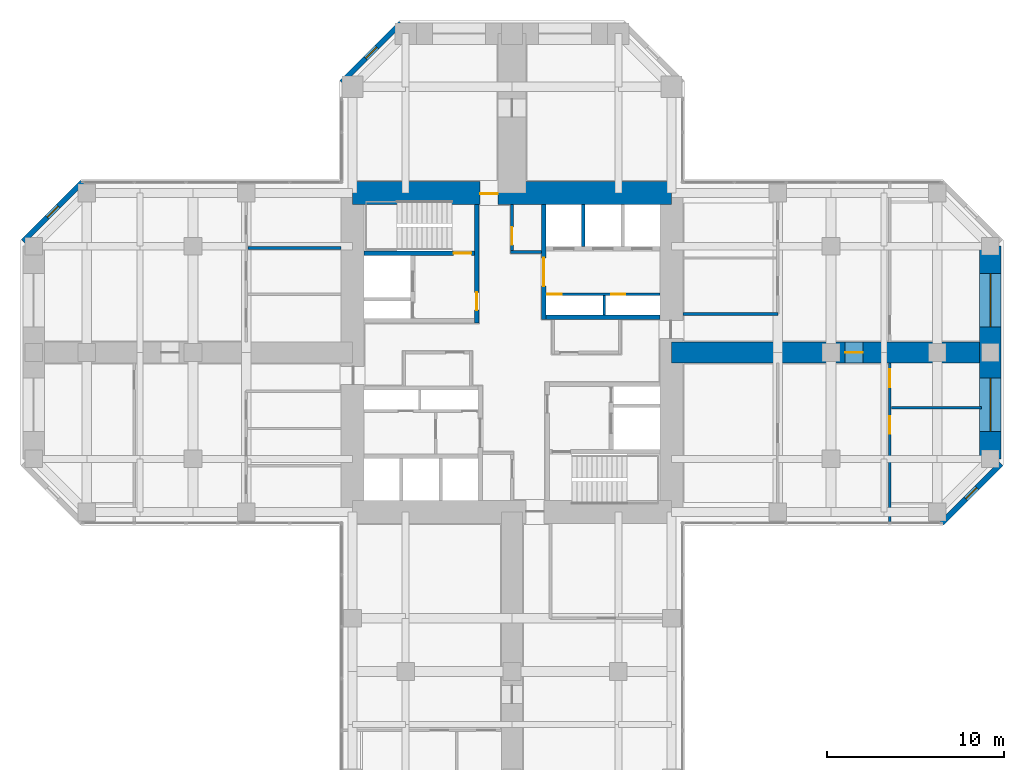
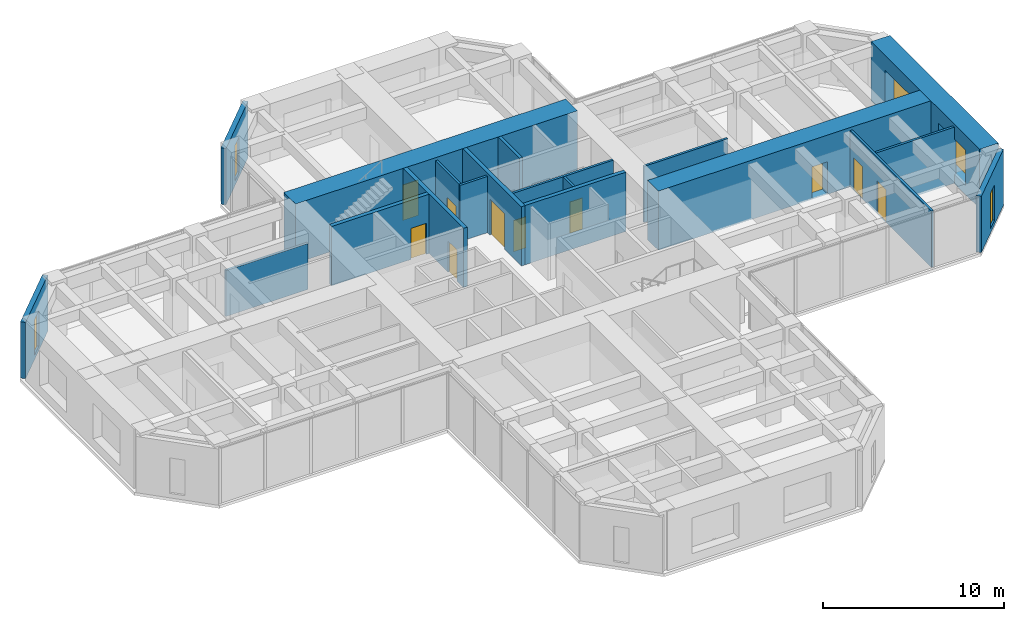
# One storey, part 10 of 12: 19 walls, 10 doors, 5 windows, 15 openings.
"""IFC4 building model written with IfcOpenShell, lengths in metres."""

from ifc_helpers import new_model, si_unit, direction, frame, frame_2d, origin, place, context, subcontext, project, spatial, rectangle, hollow_rectangle, extrude, material, layer, layer_set, constituent, constituent_set, type_object, element, fill, save


model = new_model("IFC4")

# Units and contexts
model_context = context("Model", 3, precision=1e-05, world=origin(), true_north=direction((0.0, 1.0)))
body_context = subcontext(model_context, "Body", "Model", "MODEL_VIEW")
ifc_project = project(units=[si_unit("LENGTHUNIT", "METRE"), si_unit("AREAUNIT", "SQUARE_METRE"), si_unit("VOLUMEUNIT", "CUBIC_METRE"), si_unit("PLANEANGLEUNIT", "RADIAN"), si_unit("MASSUNIT", "GRAM", prefix="KILO")], contexts=[model_context])

# Site, building, storey
site_placement = place(None, origin())
site = spatial("IfcSite", under=ifc_project, at=site_placement, CompositionType="ELEMENT")
building_placement = place(site_placement, origin())
building = spatial("IfcBuilding", under=site, at=building_placement, Name="Torre Cruceta", CompositionType="ELEMENT")
storey_placement = place(building_placement, frame((0.0, 0.0, 112.5)))
storey = spatial("IfcBuildingStorey", under=building, at=storey_placement, Name="L27", CompositionType="ELEMENT", Elevation=112.5)

# Wall, opening, door
ifc_material_1 = material(Name="Concrete G60 (fck 60 MPa)", Category="concrete")
ifc_layer_1 = layer(ifc_material_1, 0.25)
ifc_layer_set_1 = layer_set([ifc_layer_1], Name="Concrete G60 (fck 60 MPa)")
wall_type_1 = type_object("IfcWallType", Name="CORE INNER WALL 250 G60", PredefinedType="SHEAR", material=ifc_layer_set_1)
wall_1_placement = place(storey_placement, frame((1.800048828125, 1.875, 0.0), z_axis=(0.0, 0.0, 1.0), x_axis=(0.0, 1.0, 0.0)))
wall_1 = element("IfcWall", 1, at=wall_1_placement, inside=storey, type_object=wall_type_1, Name="CW4 L27 NE-CU", PredefinedType="SHEAR", context=body_context, shape_type="SweptSolid", body=[
    extrude(rectangle(XDim=6.47509765625, YDim=0.25, at=frame_2d((3.237548828125, 0.0))), origin(), (0.0, 0.0, 1.0), 4.0),
])
opening_1_placement = place(wall_1_placement, frame((1.875, 0.0, 0.0)))
opening_1 = element("IfcOpeningElement", 2, at=opening_1_placement, cuts=wall_1, Name="Opening D8", PredefinedType="OPENING", context=body_context, shape_type="SweptSolid", body=[
    extrude(rectangle(XDim=1.60009765625, YDim=2.39990234375, at=frame_2d((0.800048828125, 1.199951171875))), frame((0.0, 0.135009765625, 0.0), z_axis=(0.0, -1.0, 0.0), x_axis=(1.0, 0.0, 0.0)), (0.0, 0.0, 1.0), 0.27001953125),
])
ifc_material_2 = material(Name="Steel DX51D", Category="steel")
ifc_constituent_1 = constituent(ifc_material_2, Name="Leaf and frame")
ifc_material_3 = material(Name="Polyester powder coating", Category="paint")
ifc_constituent_2 = constituent(ifc_material_3, Name="Finish")
ifc_material_4 = material(Name="Fire-resisting glass", Category="glass")
ifc_constituent_3 = constituent(ifc_material_4, Name="Vision panel")
ifc_constituent_set_1 = constituent_set(constituents=[ifc_constituent_1, ifc_constituent_2, ifc_constituent_3], Name="Steel fire door with vision panels")
door_type_1 = type_object("IfcDoorType", Name="LIFT LOBBY DOUBLE DOOR 1600X2400", OperationType="DOUBLE_DOOR_DOUBLE_SWING", PredefinedType="DOOR", material=ifc_constituent_set_1)
door_1_placement = place(opening_1_placement, origin())
door_1 = element("IfcDoor", 3, at=door_1_placement, inside=storey, type_object=door_type_1, Name="D8 L27 NE-LOBBY", OperationType="DOUBLE_DOOR_DOUBLE_SWING", OverallHeight=2.39990234375, OverallWidth=1.60009765625, PredefinedType="DOOR", context=body_context, shape_type="SweptSolid", body=[
    extrude(rectangle(XDim=1.60009765625, YDim=2.39990234375, at=frame_2d((0.800048828125, 1.199951171875))), frame((0.0, 0.02490234375, 0.0), z_axis=(0.0, -1.0, 0.0), x_axis=(1.0, 0.0, 0.0)), (0.0, 0.0, 1.0), 0.050048828125),
])
fill(opening_1, door_1)

# Wall
wall_2_placement = place(storey_placement, frame((1.925048828125, 2.0, 0.0), z_axis=(0.0, 0.0, 1.0), x_axis=(1.0, 0.0, 0.0)))
element("IfcWall", 4, at=wall_2_placement, inside=storey, type_object=wall_type_1, Name="CW4 L27 NE-CV", PredefinedType="SHEAR", context=body_context, shape_type="SweptSolid", body=[
    extrude(rectangle(XDim=6.425048828125, YDim=0.25, at=frame_2d((3.21240234375, 0.0))), origin(), (0.0, 0.0, 1.0), 4.0),
])

# Wall, opening, door
wall_3_placement = place(storey_placement, frame((-2.0, 1.675048828125, 0.0), z_axis=(0.0, 0.0, 1.0), x_axis=(0.0, 1.0, 0.0)))
wall_3 = element("IfcWall", 5, at=wall_3_placement, inside=storey, type_object=wall_type_1, Name="CW4 L27 NW-CU", PredefinedType="SHEAR", context=body_context, shape_type="SweptSolid", body=[
    extrude(rectangle(XDim=6.675048828125, YDim=0.25, at=frame_2d((3.33740234375, 0.0))), origin(), (0.0, 0.0, 1.0), 4.0),
])
opening_2_placement = place(wall_3_placement, frame((0.72509765625, 0.0, 0.0)))
opening_2 = element("IfcOpeningElement", 6, at=opening_2_placement, cuts=wall_3, Name="Opening D3", PredefinedType="OPENING", context=body_context, shape_type="SweptSolid", body=[
    extrude(rectangle(XDim=1.0, YDim=2.10009765625, at=frame_2d((0.5, 1.050048828125))), frame((0.0, 0.135009765625, 0.0), z_axis=(0.0, -1.0, 0.0), x_axis=(1.0, 0.0, 0.0)), (0.0, 0.0, 1.0), 0.27001953125),
])
ifc_material_5 = material(Name="Steel DX51D", Category="steel")
ifc_constituent_4 = constituent(ifc_material_5, Name="Leaf and frame")
ifc_material_6 = material(Name="Polyester powder coating", Category="paint")
ifc_constituent_5 = constituent(ifc_material_6, Name="Finish")
ifc_constituent_set_2 = constituent_set(constituents=[ifc_constituent_4, ifc_constituent_5], Name="Steel fire door")
door_type_2 = type_object("IfcDoorType", Name="FIRE DOOR 1000X2100", OperationType="SINGLE_SWING_LEFT", PredefinedType="DOOR", material=ifc_constituent_set_2)
door_2_placement = place(opening_2_placement, origin())
door_2 = element("IfcDoor", 7, at=door_2_placement, inside=storey, type_object=door_type_2, Name="D3 L27 NW-LOBBY", OperationType="SINGLE_SWING_LEFT", OverallHeight=2.10009765625, OverallWidth=1.0, PredefinedType="DOOR", context=body_context, shape_type="SweptSolid", body=[
    extrude(rectangle(XDim=1.0, YDim=2.10009765625, at=frame_2d((0.5, 1.050048828125))), frame((0.0, 0.02490234375, 0.0), z_axis=(0.0, -1.0, 0.0), x_axis=(1.0, 0.0, 0.0)), (0.0, 0.0, 1.0), 0.050048828125),
])
fill(opening_2, door_2)

wall_4_placement = place(storey_placement, frame((-2.125, 5.60009765625, 0.0), z_axis=(0.0, 0.0, 1.0), x_axis=(-1.0, 0.0, 0.0)))
wall_4 = element("IfcWall", 8, at=wall_4_placement, inside=storey, type_object=wall_type_1, Name="CW4 L27 NW-SV", PredefinedType="SHEAR", context=body_context, shape_type="SweptSolid", body=[
    extrude(rectangle(XDim=6.22509765625, YDim=0.25, at=frame_2d((3.112548828125, 0.0))), origin(), (0.0, 0.0, 1.0), 4.0),
])
opening_3_placement = place(wall_4_placement, frame((0.175048828125, 0.0, 0.0)))
opening_3 = element("IfcOpeningElement", 9, at=opening_3_placement, cuts=wall_4, Name="Opening D3", PredefinedType="OPENING", context=body_context, shape_type="SweptSolid", body=[
    extrude(rectangle(XDim=1.0, YDim=2.10009765625, at=frame_2d((0.5, 1.050048828125))), frame((0.0, 0.135009765625, 0.0), z_axis=(0.0, -1.0, 0.0), x_axis=(1.0, 0.0, 0.0)), (0.0, 0.0, 1.0), 0.27001953125),
])
door_3_placement = place(opening_3_placement, frame((1.0, 0.0, 0.0), z_axis=(0.0, 0.0, 1.0), x_axis=(-1.0, 0.0, 0.0)))
door_3 = element("IfcDoor", 10, at=door_3_placement, inside=storey, type_object=door_type_2, Name="D3 L27 NW-STAIR", OperationType="SINGLE_SWING_RIGHT", OverallHeight=2.10009765625, OverallWidth=1.0, PredefinedType="DOOR", context=body_context, shape_type="SweptSolid", body=[
    extrude(rectangle(XDim=1.0, YDim=2.10009765625, at=frame_2d((0.5, 1.050048828125))), frame((0.0, 0.025146484375, 0.0), z_axis=(0.0, -1.0, 0.0), x_axis=(1.0, 0.0, 0.0)), (0.0, 0.0, 1.0), 0.050048828125),
])
fill(opening_3, door_3)

ifc_material_7 = material(Name="Concrete G60 (fck 60 MPa)", Category="concrete")
ifc_layer_2 = layer(ifc_material_7, 1.300048828125)
ifc_layer_set_2 = layer_set([ifc_layer_2], Name="Concrete G60 (fck 60 MPa)")
wall_type_2 = type_object("IfcWallType", Name="CORE WALL 1300 G60", PredefinedType="SHEAR", material=ifc_layer_set_2)
wall_5_placement = place(storey_placement, frame((9.0, 9.0, 0.0), z_axis=(0.0, 0.0, 1.0), x_axis=(-1.0, 0.0, 0.0)))
wall_5 = element("IfcWall", 11, at=wall_5_placement, inside=storey, type_object=wall_type_2, Name="CW1 L27 CW-N", PredefinedType="SHEAR", context=body_context, shape_type="SweptSolid", body=[
    extrude(rectangle(XDim=18.0, YDim=1.300048828125, at=frame_2d((9.0, 0.0))), origin(), (0.0, 0.0, 1.0), 4.0),
])
opening_4_placement = place(wall_5_placement, frame((9.800048828125, 0.0, 0.0)))
opening_4 = element("IfcOpeningElement", 12, at=opening_4_placement, cuts=wall_5, Name="Opening D4", PredefinedType="OPENING", context=body_context, shape_type="SweptSolid", body=[
    extrude(rectangle(XDim=1.0, YDim=2.39990234375, at=frame_2d((0.5, 1.199951171875))), frame((0.0, 0.659912109375, 0.0), z_axis=(0.0, -1.0, 0.0), x_axis=(1.0, 0.0, 0.0)), (0.0, 0.0, 1.0), 1.320068359375),
])
ifc_material_8 = material(Name="Steel DX51D", Category="steel")
ifc_constituent_6 = constituent(ifc_material_8, Name="Leaf and frame")
ifc_material_9 = material(Name="Polyester powder coating", Category="paint")
ifc_constituent_7 = constituent(ifc_material_9, Name="Finish")
ifc_constituent_set_3 = constituent_set(constituents=[ifc_constituent_6, ifc_constituent_7], Name="Steel fire door")
door_type_3 = type_object("IfcDoorType", Name="CORE ARM DOOR 1000X2400", OperationType="SINGLE_SWING_RIGHT", PredefinedType="DOOR", material=ifc_constituent_set_3)
door_4_placement = place(opening_4_placement, frame((1.0, 0.0, 0.0), z_axis=(0.0, 0.0, 1.0), x_axis=(-1.0, 0.0, 0.0)))
door_4 = element("IfcDoor", 13, at=door_4_placement, inside=storey, type_object=door_type_3, Name="D4 L27 CW-N", OperationType="SINGLE_SWING_RIGHT", OverallHeight=2.39990234375, OverallWidth=1.0, PredefinedType="DOOR", context=body_context, shape_type="SweptSolid", body=[
    extrude(rectangle(XDim=1.0, YDim=2.39990234375, at=frame_2d((0.5, 1.199951171875))), frame((0.0, -0.005126953125, 0.0), z_axis=(0.0, -1.0, 0.0), x_axis=(1.0, 0.0, 0.0)), (0.0, 0.0, 1.0), 0.050048828125),
])
fill(opening_4, door_4)

# Wall, opening, window
ifc_material_10 = material(Name="Concrete G30 (fck 30 MPa)", Category="concrete")
ifc_layer_3 = layer(ifc_material_10, 0.300048828125)
ifc_layer_set_3 = layer_set([ifc_layer_3], Name="Concrete G30 (fck 30 MPa)")
wall_type_3 = type_object("IfcWallType", Name="EXPOSED CONCRETE FACADE WALL 300", PredefinedType="SOLIDWALL", material=ifc_layer_set_3)
wall_6_placement = place(storey_placement, frame((24.2568359375, -9.6201171875, 0.0), z_axis=(0.0, 0.0, 1.0), x_axis=(0.707106781187, 0.707106781187, 0.0)))
wall_6 = element("IfcWall", 14, at=wall_6_placement, inside=storey, type_object=wall_type_3, Name="EW1 facade wall L27 E chamfer 01", PredefinedType="SOLIDWALL", context=body_context, shape_type="SweptSolid", body=[
    extrude(rectangle(XDim=4.72802734375, YDim=0.300048828125, at=frame_2d((2.364013671875, 0.0))), origin(), (0.0, 0.0, 1.0), 3.800048828125),
])
opening_5_placement = place(wall_6_placement, frame((1.9140625, 0.0, 0.300048828125)))
opening_5 = element("IfcOpeningElement", 15, at=opening_5_placement, cuts=wall_6, Name="Opening WN5", PredefinedType="OPENING", context=body_context, shape_type="SweptSolid", body=[
    extrude(rectangle(XDim=0.89990234375, YDim=2.39990234375, at=frame_2d((0.449951171875, 1.199951171875))), frame((0.0, 0.159912109375, 0.0), z_axis=(0.0, -1.0, 0.0), x_axis=(1.0, 0.0, 0.0)), (0.0, 0.0, 1.0), 0.320068359375),
])
ifc_material_11 = material(Name="Aluminium window frame", Category="aluminium")
ifc_constituent_8 = constituent(ifc_material_11, Name="Frame")
ifc_material_12 = material(Name="Laminated insulating glass unit, low-iron clear", Category="glass")
ifc_constituent_9 = constituent(ifc_material_12, Name="Glazing")
ifc_constituent_set_4 = constituent_set(constituents=[ifc_constituent_8, ifc_constituent_9], Name="Aluminium window")
window_type_1 = type_object("IfcWindowType", Name="CHAMFER SLOT WINDOW 900X2400", PartitioningType="SINGLE_PANEL", PredefinedType="WINDOW", material=ifc_constituent_set_4)
window_1_placement = place(opening_5_placement, origin())
window_1 = element("IfcWindow", 16, at=window_1_placement, inside=storey, type_object=window_type_1, Name="WN5 L27 E 1", OverallHeight=2.39990234375, OverallWidth=0.89990234375, PartitioningType="SINGLE_PANEL", PredefinedType="WINDOW", context=body_context, shape_type="SweptSolid", body=[
    extrude(hollow_rectangle(XDim=0.89990234375, YDim=2.39990234375, WallThickness=0.06005859375, at=frame_2d((0.449951171875, 1.199951171875))), frame((0.0, 0.030029296875, 0.0), z_axis=(0.0, -1.0, 0.0), x_axis=(1.0, 0.0, 0.0)), (0.0, 0.0, 1.0), 0.06005859375),
    extrude(rectangle(XDim=0.77880859375, YDim=2.27880859375, at=frame_2d((0.449951171875, 1.199951171875))), frame((0.0, 0.030029296875, 0.0), z_axis=(0.0, -1.0, 0.0), x_axis=(1.0, 0.0, 0.0)), (0.0, 0.0, 1.0), 0.06005859375),
])
fill(opening_5, window_1)

wall_7_placement = place(storey_placement, frame((-6.27685546875, 18.60009765625, 0.0), z_axis=(0.0, 0.0, 1.0), x_axis=(-0.707106781187, -0.707106781187, 0.0)))
wall_7 = element("IfcWall", 17, at=wall_7_placement, inside=storey, type_object=wall_type_3, Name="EW1 facade wall L27 N chamfer 08", PredefinedType="SOLIDWALL", context=body_context, shape_type="SweptSolid", body=[
    extrude(rectangle(XDim=4.72802734375, YDim=0.300048828125, at=frame_2d((2.364013671875, 0.0))), origin(), (0.0, 0.0, 1.0), 3.800048828125),
])
opening_6_placement = place(wall_7_placement, frame((1.9140625, 0.0, 0.300048828125)))
opening_6 = element("IfcOpeningElement", 18, at=opening_6_placement, cuts=wall_7, Name="Opening WN5", PredefinedType="OPENING", context=body_context, shape_type="SweptSolid", body=[
    extrude(rectangle(XDim=0.89990234375, YDim=2.39990234375, at=frame_2d((0.449951171875, 1.199951171875))), frame((0.0, 0.159912109375, 0.0), z_axis=(0.0, -1.0, 0.0), x_axis=(1.0, 0.0, 0.0)), (0.0, 0.0, 1.0), 0.320068359375),
])
window_2_placement = place(opening_6_placement, origin())
window_2 = element("IfcWindow", 19, at=window_2_placement, inside=storey, type_object=window_type_1, Name="WN5 L27 N 1", OverallHeight=2.39990234375, OverallWidth=0.89990234375, PartitioningType="SINGLE_PANEL", PredefinedType="WINDOW", context=body_context, shape_type="SweptSolid", body=[
    extrude(hollow_rectangle(XDim=0.89990234375, YDim=2.39990234375, WallThickness=0.06005859375, at=frame_2d((0.449951171875, 1.199951171875))), frame((0.0, 0.030029296875, 0.0), z_axis=(0.0, -1.0, 0.0), x_axis=(1.0, 0.0, 0.0)), (0.0, 0.0, 1.0), 0.06005859375),
    extrude(rectangle(XDim=0.77880859375, YDim=2.27880859375, at=frame_2d((0.449951171875, 1.199951171875))), frame((0.0, 0.030029296875, 0.0), z_axis=(0.0, -1.0, 0.0), x_axis=(1.0, 0.0, 0.0)), (0.0, 0.0, 1.0), 0.06005859375),
])
fill(opening_6, window_2)

wall_8_placement = place(storey_placement, frame((-24.2568359375, 9.6201171875, 0.0), z_axis=(0.0, 0.0, 1.0), x_axis=(-0.707106781187, -0.707106781187, 0.0)))
wall_8 = element("IfcWall", 20, at=wall_8_placement, inside=storey, type_object=wall_type_3, Name="EW1 facade wall L27 W chamfer 11", PredefinedType="SOLIDWALL", context=body_context, shape_type="SweptSolid", body=[
    extrude(rectangle(XDim=4.72802734375, YDim=0.300048828125, at=frame_2d((2.364013671875, 0.0))), origin(), (0.0, 0.0, 1.0), 3.800048828125),
])
opening_7_placement = place(wall_8_placement, frame((1.9140625, 0.0, 0.300048828125)))
opening_7 = element("IfcOpeningElement", 21, at=opening_7_placement, cuts=wall_8, Name="Opening WN5", PredefinedType="OPENING", context=body_context, shape_type="SweptSolid", body=[
    extrude(rectangle(XDim=0.89990234375, YDim=2.39990234375, at=frame_2d((0.449951171875, 1.199951171875))), frame((0.0, 0.159912109375, 0.0), z_axis=(0.0, -1.0, 0.0), x_axis=(1.0, 0.0, 0.0)), (0.0, 0.0, 1.0), 0.320068359375),
])
window_3_placement = place(opening_7_placement, origin())
window_3 = element("IfcWindow", 22, at=window_3_placement, inside=storey, type_object=window_type_1, Name="WN5 L27 W 1", OverallHeight=2.39990234375, OverallWidth=0.89990234375, PartitioningType="SINGLE_PANEL", PredefinedType="WINDOW", context=body_context, shape_type="SweptSolid", body=[
    extrude(hollow_rectangle(XDim=0.89990234375, YDim=2.39990234375, WallThickness=0.06005859375, at=frame_2d((0.449951171875, 1.199951171875))), frame((0.0, 0.030029296875, 0.0), z_axis=(0.0, -1.0, 0.0), x_axis=(1.0, 0.0, 0.0)), (0.0, 0.0, 1.0), 0.06005859375),
    extrude(rectangle(XDim=0.77880859375, YDim=2.27880859375, at=frame_2d((0.449951171875, 1.199951171875))), frame((0.0, 0.030029296875, 0.0), z_axis=(0.0, -1.0, 0.0), x_axis=(1.0, 0.0, 0.0)), (0.0, 0.0, 1.0), 0.06005859375),
])
fill(opening_7, window_3)

# Wall
ifc_material_13 = material(Name="Concrete G35 (fck 35 MPa)", Category="concrete")
ifc_layer_4 = layer(ifc_material_13, 0.199951171875)
ifc_layer_set_4 = layer_set([ifc_layer_4], Name="Concrete G35 (fck 35 MPa)")
wall_type_4 = type_object("IfcWallType", Name="LIFT SHAFT WALL 200", PredefinedType="PARTITIONING", material=ifc_layer_set_4)
wall_9_placement = place(storey_placement, frame((4.033447265625, 5.97509765625, 0.0), z_axis=(0.0, 0.0, 1.0), x_axis=(0.0, 1.0, 0.0)))
element("IfcWall", 23, at=wall_9_placement, inside=storey, type_object=wall_type_4, Name="SW1 L27 NE-LS1", PredefinedType="PARTITIONING", context=body_context, shape_type="SweptSolid", body=[
    extrude(rectangle(XDim=2.375, YDim=0.199951171875, at=frame_2d((1.1875, 0.0))), origin(), (0.0, 0.0, 1.0), 4.0),
])

# Wall, openings, windows
ifc_material_14 = material(Name="Concrete G60 (fck 60 MPa)", Category="concrete")
ifc_layer_5 = layer(ifc_material_14, 1.199951171875)
ifc_layer_set_5 = layer_set([ifc_layer_5], Name="Concrete G60 (fck 60 MPa)")
wall_type_5 = type_object("IfcWallType", Name="NOSE WALL 1200 G60", PredefinedType="SHEAR", material=ifc_layer_set_5)
wall_10_placement = place(storey_placement, frame((27.0, -6.0, 0.0), z_axis=(0.0, 0.0, 1.0), x_axis=(0.0, 1.0, 0.0)))
wall_10 = element("IfcWall", 24, at=wall_10_placement, inside=storey, type_object=wall_type_5, Name="NW1 nose wall L27 E", PredefinedType="SHEAR", context=body_context, shape_type="SweptSolid", body=[
    extrude(rectangle(XDim=12.0, YDim=1.199951171875, at=frame_2d((6.0, 0.0))), origin(), (0.0, 0.0, 1.0), 4.0),
])
opening_8_placement = place(wall_10_placement, frame((1.550048828125, 0.0, 0.60009765625)))
opening_8 = element("IfcOpeningElement", 25, at=opening_8_placement, cuts=wall_10, Name="Opening WN6", PredefinedType="OPENING", context=body_context, shape_type="SweptSolid", body=[
    extrude(rectangle(XDim=3.0, YDim=2.39990234375, at=frame_2d((1.5, 1.199951171875))), frame((0.0, 0.60986328125, 0.0), z_axis=(0.0, -1.0, 0.0), x_axis=(1.0, 0.0, 0.0)), (0.0, 0.0, 1.0), 1.219970703125),
])
opening_9_placement = place(wall_10_placement, frame((7.449951171875, 0.0, 0.60009765625)))
opening_9 = element("IfcOpeningElement", 26, at=opening_9_placement, cuts=wall_10, Name="Opening WN6", PredefinedType="OPENING", context=body_context, shape_type="SweptSolid", body=[
    extrude(rectangle(XDim=3.0, YDim=2.39990234375, at=frame_2d((1.5, 1.199951171875))), frame((0.0, 0.60986328125, 0.0), z_axis=(0.0, -1.0, 0.0), x_axis=(1.0, 0.0, 0.0)), (0.0, 0.0, 1.0), 1.219970703125),
])
ifc_material_15 = material(Name="Aluminium window frame", Category="aluminium")
ifc_constituent_10 = constituent(ifc_material_15, Name="Frame")
ifc_material_16 = material(Name="Laminated insulating glass unit, low-iron clear", Category="glass")
ifc_constituent_11 = constituent(ifc_material_16, Name="Glazing")
ifc_constituent_set_5 = constituent_set(constituents=[ifc_constituent_10, ifc_constituent_11], Name="Aluminium window")
window_type_2 = type_object("IfcWindowType", Name="NOSE WALL WINDOW 3000X2400", PartitioningType="SINGLE_PANEL", PredefinedType="WINDOW", material=ifc_constituent_set_5)
window_4_placement = place(opening_8_placement, origin())
window_4 = element("IfcWindow", 27, at=window_4_placement, inside=storey, type_object=window_type_2, Name="WN6 L27 E 1", OverallHeight=2.39990234375, OverallWidth=3.0, PartitioningType="SINGLE_PANEL", PredefinedType="WINDOW", context=body_context, shape_type="SweptSolid", body=[
    extrude(hollow_rectangle(XDim=3.0, YDim=2.39990234375, WallThickness=0.06005859375, at=frame_2d((1.5, 1.199951171875))), frame((0.0, 0.030029296875, 0.0), z_axis=(0.0, -1.0, 0.0), x_axis=(1.0, 0.0, 0.0)), (0.0, 0.0, 1.0), 0.06005859375),
    extrude(rectangle(XDim=2.87890625, YDim=2.27880859375, at=frame_2d((1.5, 1.199951171875))), frame((0.0, 0.030029296875, 0.0), z_axis=(0.0, -1.0, 0.0), x_axis=(1.0, 0.0, 0.0)), (0.0, 0.0, 1.0), 0.06005859375),
])
fill(opening_8, window_4)
window_5_placement = place(opening_9_placement, origin())
window_5 = element("IfcWindow", 28, at=window_5_placement, inside=storey, type_object=window_type_2, Name="WN6 L27 E 2", OverallHeight=2.39990234375, OverallWidth=3.0, PartitioningType="SINGLE_PANEL", PredefinedType="WINDOW", context=body_context, shape_type="SweptSolid", body=[
    extrude(hollow_rectangle(XDim=3.0, YDim=2.39990234375, WallThickness=0.06005859375, at=frame_2d((1.5, 1.199951171875))), frame((0.0, 0.030029296875, 0.0), z_axis=(0.0, -1.0, 0.0), x_axis=(1.0, 0.0, 0.0)), (0.0, 0.0, 1.0), 0.06005859375),
    extrude(rectangle(XDim=2.87890625, YDim=2.27880859375, at=frame_2d((1.5, 1.199951171875))), frame((0.0, 0.030029296875, 0.0), z_axis=(0.0, -1.0, 0.0), x_axis=(1.0, 0.0, 0.0)), (0.0, 0.0, 1.0), 0.06005859375),
])
fill(opening_9, window_5)

# Wall, opening, door
ifc_material_17 = material(Name="Plasterboard on steel studs", Category="steel")
ifc_layer_6 = layer(ifc_material_17, 0.14990234375)
ifc_layer_set_6 = layer_set([ifc_layer_6], Name="Plasterboard on steel studs")
wall_type_6 = type_object("IfcWallType", Name="PARTITION 150", PredefinedType="PARTITIONING", material=ifc_layer_set_6)
wall_11_placement = place(storey_placement, frame((0.0, 5.675048828125, 0.0), z_axis=(0.0, 0.0, 1.0), x_axis=(0.0, 1.0, 0.0)))
wall_11 = element("IfcWall", 29, at=wall_11_placement, inside=storey, type_object=wall_type_6, Name="PT1 L27-CORE-LEGN-E-W1", PredefinedType="PARTITIONING", context=body_context, shape_type="SweptSolid", body=[
    extrude(rectangle(XDim=2.675048828125, YDim=0.14990234375, at=frame_2d((1.33740234375, 0.0))), origin(), (0.0, 0.0, 1.0), 3.800048828125),
])
opening_10_placement = place(wall_11_placement, frame((0.39990234375, 0.0, 0.0)))
opening_10 = element("IfcOpeningElement", 30, at=opening_10_placement, cuts=wall_11, Name="Opening D3", PredefinedType="OPENING", context=body_context, shape_type="SweptSolid", body=[
    extrude(rectangle(XDim=1.0, YDim=2.10009765625, at=frame_2d((0.5, 1.050048828125))), frame((0.0, 0.0849609375, 0.0), z_axis=(0.0, -1.0, 0.0), x_axis=(1.0, 0.0, 0.0)), (0.0, 0.0, 1.0), 0.169921875),
])
door_5_placement = place(opening_10_placement, frame((1.0, 0.0, 0.0), z_axis=(0.0, 0.0, 1.0), x_axis=(-1.0, 0.0, 0.0)))
door_5 = element("IfcDoor", 31, at=door_5_placement, inside=storey, type_object=door_type_2, Name="D3 L27-CORE-LEGN-E-W1-D1", OperationType="SINGLE_SWING_RIGHT", OverallHeight=2.10009765625, OverallWidth=1.0, PredefinedType="DOOR", context=body_context, shape_type="SweptSolid", body=[
    extrude(rectangle(XDim=1.0, YDim=2.10009765625, at=frame_2d((0.5, 1.050048828125))), frame((0.0, 0.025146484375, 0.0), z_axis=(0.0, -1.0, 0.0), x_axis=(1.0, 0.0, 0.0)), (0.0, 0.0, 1.0), 0.050048828125),
])
fill(opening_10, door_5)

# Walls
wall_12_placement = place(storey_placement, frame((1.675048828125, 5.675048828125, 0.0), z_axis=(0.0, 0.0, 1.0), x_axis=(-1.0, 0.0, 0.0)))
element("IfcWall", 32, at=wall_12_placement, inside=storey, type_object=wall_type_6, Name="PT1 L27-CORE-LEGN-E-W2", PredefinedType="PARTITIONING", context=body_context, shape_type="SweptSolid", body=[
    extrude(rectangle(XDim=1.75, YDim=0.14990234375, at=frame_2d((0.875, 0.0))), origin(), (0.0, 0.0, 1.0), 3.800048828125),
])
wall_13_placement = place(storey_placement, frame((9.64990234375, 2.175048828125, 0.0), z_axis=(0.0, 0.0, 1.0), x_axis=(1.0, 0.0, 0.0)))
element("IfcWall", 33, at=wall_13_placement, inside=storey, type_object=wall_type_6, Name="PT1 L27-E-BSL", PredefinedType="PARTITIONING", context=body_context, shape_type="SweptSolid", body=[
    extrude(rectangle(XDim=5.35009765625, YDim=0.14990234375, at=frame_2d((2.675048828125, 0.0))), origin(), (0.0, 0.0, 1.0), 3.800048828125),
])
wall_14_placement = place(storey_placement, frame((21.419921875, -3.117919921875, 0.0), z_axis=(0.0, 0.0, 1.0), x_axis=(1.0, 0.0, 0.0)))
element("IfcWall", 34, at=wall_14_placement, inside=storey, type_object=wall_type_6, Name="PT1 L27-E-TDR", PredefinedType="PARTITIONING", context=body_context, shape_type="SweptSolid", body=[
    extrude(rectangle(XDim=5.080078125, YDim=0.14990234375, at=frame_2d((2.5400390625, 0.0))), origin(), (0.0, 0.0, 1.0), 3.800048828125),
])

# Wall, openings, doors
wall_15_placement = place(storey_placement, frame((21.320068359375, -9.580078125, 0.0), z_axis=(0.0, 0.0, 1.0), x_axis=(0.0, 1.0, 0.0)))
wall_15 = element("IfcWall", 35, at=wall_15_placement, inside=storey, type_object=wall_type_6, Name="PT1 L27-E-TWR", PredefinedType="PARTITIONING", context=body_context, shape_type="SweptSolid", body=[
    extrude(rectangle(XDim=8.97998046875, YDim=0.14990234375, at=frame_2d((4.489990234375, 0.0))), origin(), (0.0, 0.0, 1.0), 3.800048828125),
])
opening_11_placement = place(wall_15_placement, frame((4.987060546875, 0.0, 0.0)))
opening_11 = element("IfcOpeningElement", 36, at=opening_11_placement, cuts=wall_15, Name="Opening D14", PredefinedType="OPENING", context=body_context, shape_type="SweptSolid", body=[
    extrude(rectangle(XDim=1.0, YDim=2.199951171875, at=frame_2d((0.5, 1.10009765625))), frame((0.0, 0.0849609375, 0.0), z_axis=(0.0, -1.0, 0.0), x_axis=(1.0, 0.0, 0.0)), (0.0, 0.0, 1.0), 0.169921875),
])
opening_12_placement = place(wall_15_placement, frame((7.6298828125, 0.0, 0.0)))
opening_12 = element("IfcOpeningElement", 37, at=opening_12_placement, cuts=wall_15, Name="Opening D14", PredefinedType="OPENING", context=body_context, shape_type="SweptSolid", body=[
    extrude(rectangle(XDim=1.0, YDim=2.199951171875, at=frame_2d((0.5, 1.10009765625))), frame((0.0, 0.0849609375, 0.0), z_axis=(0.0, -1.0, 0.0), x_axis=(1.0, 0.0, 0.0)), (0.0, 0.0, 1.0), 0.169921875),
])
ifc_material_18 = material(Name="Steel DX51D", Category="steel")
ifc_constituent_12 = constituent(ifc_material_18, Name="Leaf and frame")
ifc_material_19 = material(Name="Polyester powder coating", Category="paint")
ifc_constituent_13 = constituent(ifc_material_19, Name="Finish")
ifc_material_20 = material(Name="Fire-resisting glass", Category="glass")
ifc_constituent_14 = constituent(ifc_material_20, Name="Vision panel")
ifc_constituent_set_6 = constituent_set(constituents=[ifc_constituent_12, ifc_constituent_13, ifc_constituent_14], Name="Steel fire door with vision panel")
door_type_4 = type_object("IfcDoorType", Name="FIRE DOOR VISION PANEL 1000X2200", OperationType="SINGLE_SWING_RIGHT", PredefinedType="DOOR", material=ifc_constituent_set_6)
door_6_placement = place(opening_11_placement, frame((1.0, 0.0, 0.0), z_axis=(0.0, 0.0, 1.0), x_axis=(-1.0, 0.0, 0.0)))
door_6 = element("IfcDoor", 38, at=door_6_placement, inside=storey, type_object=door_type_4, Name="D14 L27-E-TWR-D1", OperationType="SINGLE_SWING_LEFT", OverallHeight=2.199951171875, OverallWidth=1.0, PredefinedType="DOOR", context=body_context, shape_type="SweptSolid", body=[
    extrude(rectangle(XDim=1.0, YDim=2.199951171875, at=frame_2d((0.5, 1.10009765625))), frame((0.0, 0.025146484375, 0.0), z_axis=(0.0, -1.0, 0.0), x_axis=(1.0, 0.0, 0.0)), (0.0, 0.0, 1.0), 0.050048828125),
])
fill(opening_11, door_6)
door_7_placement = place(opening_12_placement, frame((1.0, 0.0, 0.0), z_axis=(0.0, 0.0, 1.0), x_axis=(-1.0, 0.0, 0.0)))
door_7 = element("IfcDoor", 39, at=door_7_placement, inside=storey, type_object=door_type_4, Name="D14 L27-E-TWR-D2", OperationType="SINGLE_SWING_LEFT", OverallHeight=2.199951171875, OverallWidth=1.0, PredefinedType="DOOR", context=body_context, shape_type="SweptSolid", body=[
    extrude(rectangle(XDim=1.0, YDim=2.199951171875, at=frame_2d((0.5, 1.10009765625))), frame((0.0, 0.025146484375, 0.0), z_axis=(0.0, -1.0, 0.0), x_axis=(1.0, 0.0, 0.0)), (0.0, 0.0, 1.0), 0.050048828125),
])
fill(opening_12, door_7)

# Wall
wall_16_placement = place(storey_placement, frame((-9.64990234375, 5.89990234375, 0.0), z_axis=(0.0, 0.0, 1.0), x_axis=(-1.0, 0.0, 0.0)))
element("IfcWall", 40, at=wall_16_placement, inside=storey, type_object=wall_type_6, Name="PT1 L27-W-BDR2", PredefinedType="PARTITIONING", context=body_context, shape_type="SweptSolid", body=[
    extrude(rectangle(XDim=5.25, YDim=0.14990234375, at=frame_2d((2.625, 0.0))), origin(), (0.0, 0.0, 1.0), 3.10009765625),
])

# Wall, openings, doors
ifc_material_21 = material(Name="Concrete block masonry", Category="masonry")
ifc_layer_7 = layer(ifc_material_21, 0.14990234375)
ifc_layer_set_7 = layer_set([ifc_layer_7], Name="Concrete block masonry")
wall_type_7 = type_object("IfcWallType", Name="RISER WALL 150", PredefinedType="PARTITIONING", material=ifc_layer_set_7)
wall_17_placement = place(storey_placement, frame((1.925048828125, 3.300048828125, 0.0), z_axis=(0.0, 0.0, 1.0), x_axis=(1.0, 0.0, 0.0)))
wall_17 = element("IfcWall", 41, at=wall_17_placement, inside=storey, type_object=wall_type_7, Name="SW7 L27 NE-RV", PredefinedType="PARTITIONING", context=body_context, shape_type="SweptSolid", body=[
    extrude(rectangle(XDim=6.425048828125, YDim=0.14990234375, at=frame_2d((3.21240234375, 0.0))), origin(), (0.0, 0.0, 1.0), 4.0),
])
opening_13_placement = place(wall_17_placement, frame((0.074951171875, 0.0, 0.0)))
opening_13 = element("IfcOpeningElement", 42, at=opening_13_placement, cuts=wall_17, Name="Opening D5", PredefinedType="OPENING", context=body_context, shape_type="SweptSolid", body=[
    extrude(rectangle(XDim=0.800048828125, YDim=2.10009765625, at=frame_2d((0.39990234375, 1.050048828125))), frame((0.0, 0.0849609375, 0.0), z_axis=(0.0, -1.0, 0.0), x_axis=(1.0, 0.0, 0.0)), (0.0, 0.0, 1.0), 0.169921875),
])
opening_14_placement = place(wall_17_placement, frame((3.675048828125, 0.0, 0.0)))
opening_14 = element("IfcOpeningElement", 43, at=opening_14_placement, cuts=wall_17, Name="Opening D5", PredefinedType="OPENING", context=body_context, shape_type="SweptSolid", body=[
    extrude(rectangle(XDim=0.800048828125, YDim=2.10009765625, at=frame_2d((0.39990234375, 1.050048828125))), frame((0.0, 0.0849609375, 0.0), z_axis=(0.0, -1.0, 0.0), x_axis=(1.0, 0.0, 0.0)), (0.0, 0.0, 1.0), 0.169921875),
])
ifc_material_22 = material(Name="Steel DX51D", Category="steel")
ifc_constituent_15 = constituent(ifc_material_22, Name="Leaf and frame")
ifc_material_23 = material(Name="Polyester powder coating", Category="paint")
ifc_constituent_16 = constituent(ifc_material_23, Name="Finish")
ifc_constituent_set_7 = constituent_set(constituents=[ifc_constituent_15, ifc_constituent_16], Name="Steel fire door")
door_type_5 = type_object("IfcDoorType", Name="RISER ACCESS DOOR 800X2100", OperationType="SINGLE_SWING_LEFT", PredefinedType="DOOR", material=ifc_constituent_set_7)
door_8_placement = place(opening_13_placement, frame((0.800048828125, 0.0, 0.0), z_axis=(0.0, 0.0, 1.0), x_axis=(-1.0, 0.0, 0.0)))
door_8 = element("IfcDoor", 44, at=door_8_placement, inside=storey, type_object=door_type_5, Name="D5 L27 NE-RISER1", OperationType="SINGLE_SWING_RIGHT", OverallHeight=2.10009765625, OverallWidth=0.800048828125, PredefinedType="DOOR", context=body_context, shape_type="SweptSolid", body=[
    extrude(rectangle(XDim=0.800048828125, YDim=2.10009765625, at=frame_2d((0.400146484375, 1.050048828125))), frame((0.0, 0.025146484375, 0.0), z_axis=(0.0, -1.0, 0.0), x_axis=(1.0, 0.0, 0.0)), (0.0, 0.0, 1.0), 0.050048828125),
])
fill(opening_13, door_8)
door_9_placement = place(opening_14_placement, frame((0.800048828125, 0.0, 0.0), z_axis=(0.0, 0.0, 1.0), x_axis=(-1.0, 0.0, 0.0)))
door_9 = element("IfcDoor", 45, at=door_9_placement, inside=storey, type_object=door_type_5, Name="D5 L27 NE-RISER2", OperationType="SINGLE_SWING_RIGHT", OverallHeight=2.10009765625, OverallWidth=0.800048828125, PredefinedType="DOOR", context=body_context, shape_type="SweptSolid", body=[
    extrude(rectangle(XDim=0.800048828125, YDim=2.10009765625, at=frame_2d((0.400146484375, 1.050048828125))), frame((0.0, 0.025146484375, 0.0), z_axis=(0.0, -1.0, 0.0), x_axis=(1.0, 0.0, 0.0)), (0.0, 0.0, 1.0), 0.050048828125),
])
fill(opening_14, door_9)

# Wall
wall_18_placement = place(storey_placement, frame((5.199951171875, 2.125, 0.0), z_axis=(0.0, 0.0, 1.0), x_axis=(0.0, 1.0, 0.0)))
element("IfcWall", 46, at=wall_18_placement, inside=storey, type_object=wall_type_7, Name="SW7 L27 NE-RU", PredefinedType="PARTITIONING", context=body_context, shape_type="SweptSolid", body=[
    extrude(rectangle(XDim=1.10009765625, YDim=0.14990234375, at=frame_2d((0.550048828125, 0.0))), origin(), (0.0, 0.0, 1.0), 4.0),
])

# Wall, opening, door
ifc_material_24 = material(Name="Concrete G60 (fck 60 MPa)", Category="concrete")
ifc_layer_8 = layer(ifc_material_24, 1.199951171875)
ifc_layer_set_8 = layer_set([ifc_layer_8], Name="Concrete G60 (fck 60 MPa)")
wall_type_8 = type_object("IfcWallType", Name="SPINE WALL 1200 G60", PredefinedType="SHEAR", material=ifc_layer_set_8)
wall_19_placement = place(storey_placement, frame((9.0, 0.0, 0.0), z_axis=(0.0, 0.0, 1.0), x_axis=(1.0, 0.0, 0.0)))
wall_19 = element("IfcWall", 47, at=wall_19_placement, inside=storey, type_object=wall_type_8, Name="SW3 spine wall L27 E", PredefinedType="SHEAR", context=body_context, shape_type="SweptSolid", body=[
    extrude(rectangle(XDim=18.0, YDim=1.199951171875, at=frame_2d((9.0, 0.0))), origin(), (0.0, 0.0, 1.0), 4.0),
])
opening_15_placement = place(wall_19_placement, frame((9.800048828125, 0.0, 0.0)))
opening_15 = element("IfcOpeningElement", 48, at=opening_15_placement, cuts=wall_19, Name="Opening D14", PredefinedType="OPENING", context=body_context, shape_type="SweptSolid", body=[
    extrude(rectangle(XDim=1.0, YDim=2.199951171875, at=frame_2d((0.5, 1.10009765625))), frame((0.0, 0.60986328125, 0.0), z_axis=(0.0, -1.0, 0.0), x_axis=(1.0, 0.0, 0.0)), (0.0, 0.0, 1.0), 1.219970703125),
])
door_10_placement = place(opening_15_placement, frame((1.0, 0.0, 0.0), z_axis=(0.0, 0.0, 1.0), x_axis=(-1.0, 0.0, 0.0)))
door_10 = element("IfcDoor", 49, at=door_10_placement, inside=storey, type_object=door_type_4, Name="D14 L27-E-SP1", OperationType="SINGLE_SWING_LEFT", OverallHeight=2.199951171875, OverallWidth=1.0, PredefinedType="DOOR", context=body_context, shape_type="SweptSolid", body=[
    extrude(rectangle(XDim=1.0, YDim=2.199951171875, at=frame_2d((0.5, 1.10009765625))), frame((0.0, 0.025146484375, 0.0), z_axis=(0.0, -1.0, 0.0), x_axis=(1.0, 0.0, 0.0)), (0.0, 0.0, 1.0), 0.050048828125),
])
fill(opening_15, door_10)

save(model, "model.ifc")
